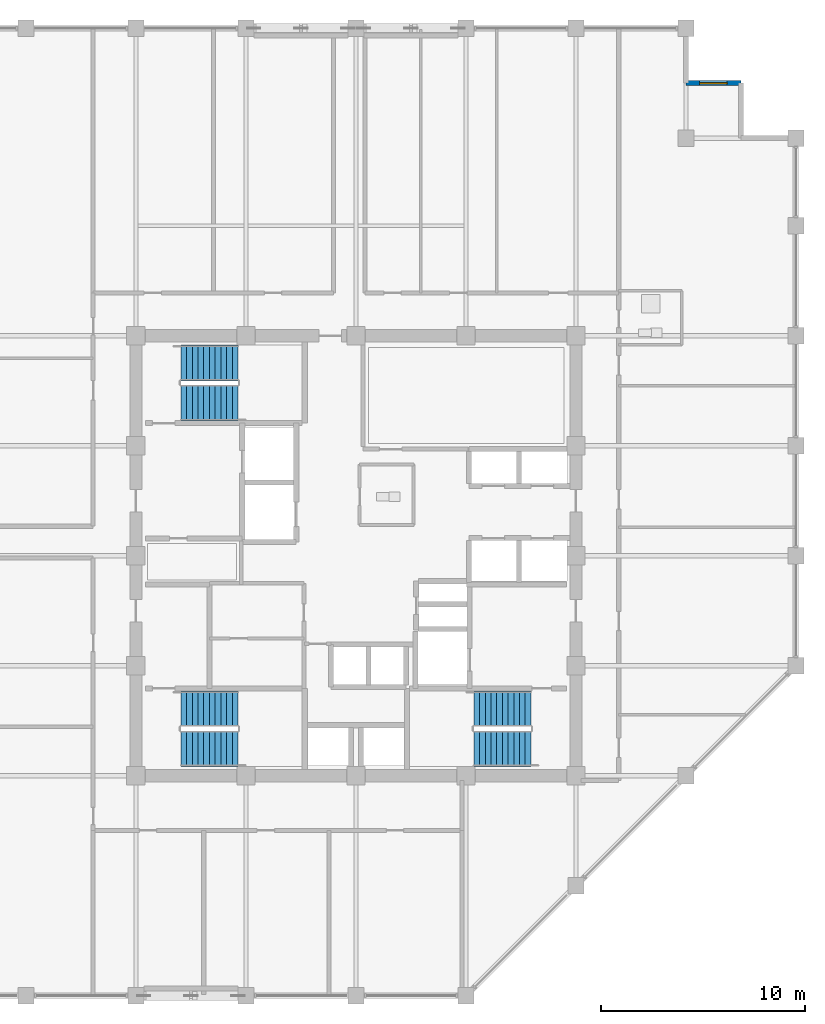
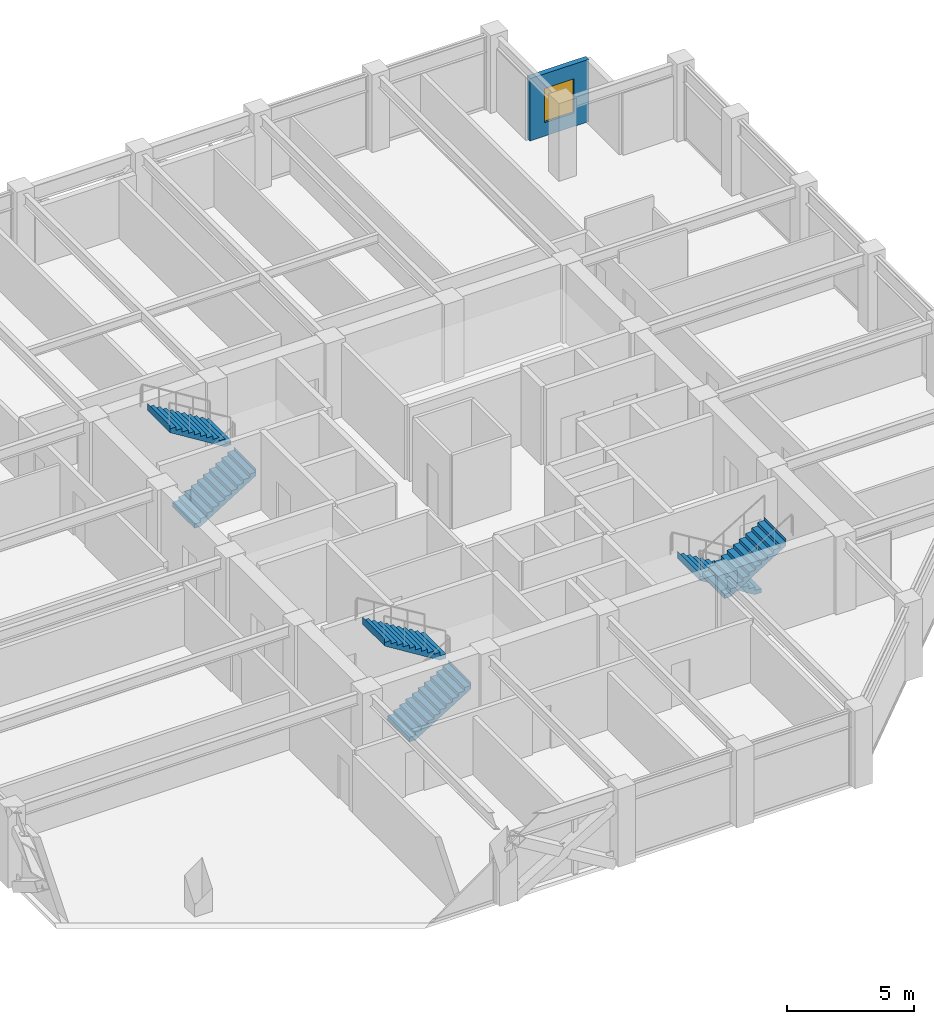
# One storey, part 30 of 32: 6 stair flights, 1 wall, 1 window, 1 opening, 3 elements without a shape of their own.
"""IFC4 building model written with IfcOpenShell, lengths in metres."""

from ifc_helpers import new_model, si_unit, direction, frame, frame_2d, origin, place, context, subcontext, project, spatial, polyline, rectangle, outline, extrude, material, layer, layer_set, type_object, element, fill, aggregate, save


model = new_model("IFC4")

# Units and contexts
model_context = context("Model", 3, precision=1e-05, world=origin(), true_north=direction((0.0, 1.0)))
body_context = subcontext(model_context, "Body", "Model", "MODEL_VIEW")
ifc_project = project(units=[si_unit("LENGTHUNIT", "METRE"), si_unit("AREAUNIT", "SQUARE_METRE"), si_unit("VOLUMEUNIT", "CUBIC_METRE"), si_unit("PLANEANGLEUNIT", "RADIAN"), si_unit("MASSUNIT", "GRAM", prefix="KILO")], contexts=[model_context])

# Site, building, storey
site_placement = place(None, origin())
site = spatial("IfcSite", under=ifc_project, at=site_placement, CompositionType="ELEMENT")
building_placement = place(site_placement, origin())
building = spatial("IfcBuilding", under=site, at=building_placement, Name="Surkhivell Harbour Commons", CompositionType="ELEMENT")
storey_placement = place(building_placement, frame((0.0, 0.0, 223.5)))
storey = spatial("IfcBuildingStorey", under=building, at=storey_placement, Name="L58", CompositionType="ELEMENT", Elevation=223.5)

# Wall, opening, window
ifc_material_1 = material(Name="Bronze-ochre cassette precast concrete C45/55", Category="concrete")
ifc_layer = layer(ifc_material_1, 0.239990234375)
ifc_layer_set = layer_set([ifc_layer], Name="Bronze-ochre cassette precast concrete C45/55")
wall_type = type_object("IfcWallType", Name="WAL-EXT-OCH240", PredefinedType="STANDARD", material=ifc_layer_set)
wall_placement = place(storey_placement, frame((18.89990234375, 23.199951171875, 0.0), z_axis=(0.0, 0.0, 1.0), x_axis=(-1.0, 0.0, 0.0)))
wall = element("IfcWall", 1, at=wall_placement, inside=storey, type_object=wall_type, Name="L58 Serrated Corner Facade Wall 05", PredefinedType="STANDARD", context=body_context, shape_type="SweptSolid", body=[
    extrude(rectangle(XDim=2.699951171875, YDim=0.239990234375, at=frame_2d((1.35009765625, 0.0))), origin(), (0.0, 0.0, 1.0), 3.006103515625),
])
opening_placement = place(wall_placement, frame((0.675048828125, 0.0, 0.64990234375)))
opening = element("IfcOpeningElement", 2, at=opening_placement, cuts=wall, Name="Opening WN-08", PredefinedType="OPENING", context=body_context, shape_type="SweptSolid", body=[
    extrude(rectangle(XDim=1.35009765625, YDim=1.64990234375, at=frame_2d((0.675048828125, 0.824951171875))), frame((0.0, 0.1298828125, 0.0), z_axis=(0.0, -1.0, 0.0), x_axis=(1.0, 0.0, 0.0)), (0.0, 0.0, 1.0), 0.260009765625),
])
ifc_material_2 = material(Name="Thermal-break aluminium frame and double low-E glazing", Category="aluminium")
window_type = type_object("IfcWindowType", Name="WIN-SER-1350x1650", PartitioningType="SINGLE_PANEL", PredefinedType="WINDOW", material=ifc_material_2)
window_placement = place(opening_placement, origin())
window = element("IfcWindow", 3, at=window_placement, inside=storey, type_object=window_type, Name="L58 Serrated Alcove Window 05", OverallHeight=1.64990234375, OverallWidth=1.35009765625, PartitioningType="SINGLE_PANEL", PredefinedType="WINDOW", context=body_context, shape_type="SweptSolid", body=[
    extrude(rectangle(XDim=1.35009765625, YDim=1.64990234375, at=frame_2d((0.675048828125, 0.824951171875))), frame((0.0, 0.030029296875, 0.0), z_axis=(0.0, -1.0, 0.0), x_axis=(1.0, 0.0, 0.0)), (0.0, 0.0, 1.0), 0.06005859375),
])
fill(opening, window)

# Stair, stair flights
ifc_material_3 = material(Name="Precast concrete C45/55", Category="concrete")
stair_type = type_object("IfcStairType", Name="STR-DL-375", PredefinedType="HALF_TURN_STAIR", material=ifc_material_3)
stair_1_placement = place(storey_placement, origin())
stair_1 = element("IfcStair", 4, at=stair_1_placement, inside=storey, type_object=stair_type, Name="L58 Core Exit Stair ST1", PredefinedType="HALF_TURN_STAIR")
stair_flight_type = type_object("IfcStairFlightType", Name="STF-DL-375", PredefinedType="STRAIGHT", material=ifc_material_3)
stair_flight_1_placement = place(storey_placement, frame((-8.590087890625, 7.514892578125, 0.0), z_axis=(0.0, 0.0, 1.0), x_axis=(1.0, 0.0, 0.0)))
stair_flight_1 = element("IfcStairFlight", 5, at=stair_flight_1_placement, type_object=stair_flight_type, Name="ST1 flight 1", NumberOfRisers=11, NumberOfTreads=10, PredefinedType="STRAIGHT", RiserHeight=0.170454545, TreadLength=0.28, context=body_context, shape_type="SweptSolid", body=[
    extrude(outline(polyline([(-0.0029296875, -0.034912109375), (-0.0029296875, 0.0), (0.0, 0.0), (0.0, 0.17041015625), (0.280029296875, 0.17041015625), (0.280029296875, 0.3408203125), (0.56005859375, 0.3408203125), (0.56005859375, 0.511474609375), (0.840087890625, 0.511474609375), (0.840087890625, 0.681884765625), (1.1201171875, 0.681884765625), (1.1201171875, 0.852294921875), (1.39990234375, 0.852294921875), (1.39990234375, 1.022705078125), (1.679931640625, 1.022705078125), (1.679931640625, 1.193115234375), (1.9599609375, 1.193115234375), (1.9599609375, 1.363525390625), (2.239990234375, 1.363525390625), (2.239990234375, 1.5341796875), (2.52001953125, 1.5341796875), (2.52001953125, 1.70458984375), (2.800048828125, 1.70458984375), (2.800048828125, 1.875), (2.802978515625, 1.875), (2.802978515625, 1.529052734375), (0.288330078125, -0.034912109375), (-0.0029296875, -0.034912109375)])), frame((0.0, 0.875, 0.0), z_axis=(0.0, -1.0, 0.0), x_axis=(1.0, 0.0, 0.0)), (0.0, 0.0, 1.0), 1.75),
])
stair_flight_2_placement = place(storey_placement, frame((-5.7900390625, 9.465087890625, 1.875), z_axis=(0.0, 0.0, 1.0), x_axis=(-1.0, 0.0, 0.0)))
stair_flight_2 = element("IfcStairFlight", 6, at=stair_flight_2_placement, type_object=stair_flight_type, Name="ST1 flight 2", NumberOfRisers=11, NumberOfTreads=10, PredefinedType="STRAIGHT", RiserHeight=0.170454545, TreadLength=0.28, context=body_context, shape_type="SweptSolid", body=[
    extrude(outline(polyline([(-0.0029296875, -0.034912109375), (-0.0029296875, 0.0), (0.0, 0.0), (0.0, 0.17041015625), (0.280029296875, 0.17041015625), (0.280029296875, 0.3408203125), (0.56005859375, 0.3408203125), (0.56005859375, 0.511474609375), (0.840087890625, 0.511474609375), (0.840087890625, 0.681884765625), (1.1201171875, 0.681884765625), (1.1201171875, 0.852294921875), (1.39990234375, 0.852294921875), (1.39990234375, 1.022705078125), (1.679931640625, 1.022705078125), (1.679931640625, 1.193115234375), (1.9599609375, 1.193115234375), (1.9599609375, 1.363525390625), (2.239990234375, 1.363525390625), (2.239990234375, 1.5341796875), (2.52001953125, 1.5341796875), (2.52001953125, 1.70458984375), (2.800048828125, 1.70458984375), (2.800048828125, 1.875), (2.802978515625, 1.875), (2.802978515625, 1.529052734375), (0.288330078125, -0.034912109375), (-0.0029296875, -0.034912109375)])), frame((0.0, 0.875, 0.0), z_axis=(0.0, -1.0, 0.0), x_axis=(1.0, 0.0, 0.0)), (0.0, 0.0, 1.0), 1.75),
])
aggregate(stair_1, [stair_flight_1, stair_flight_2])

stair_2_placement = place(storey_placement, origin())
stair_2 = element("IfcStair", 7, at=stair_2_placement, inside=storey, type_object=stair_type, Name="L58 Core Exit Stair ST2", PredefinedType="HALF_TURN_STAIR")
stair_flight_3_placement = place(storey_placement, frame((8.590087890625, -7.514892578125, 0.0), z_axis=(0.0, 0.0, 1.0), x_axis=(-1.0, 0.0, 0.0)))
stair_flight_3 = element("IfcStairFlight", 8, at=stair_flight_3_placement, type_object=stair_flight_type, Name="ST2 flight 1", NumberOfRisers=11, NumberOfTreads=10, PredefinedType="STRAIGHT", RiserHeight=0.170454545, TreadLength=0.28, context=body_context, shape_type="SweptSolid", body=[
    extrude(outline(polyline([(-0.0029296875, -0.034912109375), (-0.0029296875, 0.0), (0.0, 0.0), (0.0, 0.17041015625), (0.280029296875, 0.17041015625), (0.280029296875, 0.3408203125), (0.56005859375, 0.3408203125), (0.56005859375, 0.511474609375), (0.840087890625, 0.511474609375), (0.840087890625, 0.681884765625), (1.1201171875, 0.681884765625), (1.1201171875, 0.852294921875), (1.39990234375, 0.852294921875), (1.39990234375, 1.022705078125), (1.679931640625, 1.022705078125), (1.679931640625, 1.193115234375), (1.9599609375, 1.193115234375), (1.9599609375, 1.363525390625), (2.239990234375, 1.363525390625), (2.239990234375, 1.5341796875), (2.52001953125, 1.5341796875), (2.52001953125, 1.70458984375), (2.800048828125, 1.70458984375), (2.800048828125, 1.875), (2.802978515625, 1.875), (2.802978515625, 1.529052734375), (0.288330078125, -0.034912109375), (-0.0029296875, -0.034912109375)])), frame((0.0, 0.875, 0.0), z_axis=(0.0, -1.0, 0.0), x_axis=(1.0, 0.0, 0.0)), (0.0, 0.0, 1.0), 1.75),
])
stair_flight_4_placement = place(storey_placement, frame((5.7900390625, -9.465087890625, 1.875), z_axis=(0.0, 0.0, 1.0), x_axis=(1.0, 0.0, 0.0)))
stair_flight_4 = element("IfcStairFlight", 9, at=stair_flight_4_placement, type_object=stair_flight_type, Name="ST2 flight 2", NumberOfRisers=11, NumberOfTreads=10, PredefinedType="STRAIGHT", RiserHeight=0.170454545, TreadLength=0.28, context=body_context, shape_type="SweptSolid", body=[
    extrude(outline(polyline([(-0.0029296875, -0.034912109375), (-0.0029296875, 0.0), (0.0, 0.0), (0.0, 0.17041015625), (0.280029296875, 0.17041015625), (0.280029296875, 0.3408203125), (0.56005859375, 0.3408203125), (0.56005859375, 0.511474609375), (0.840087890625, 0.511474609375), (0.840087890625, 0.681884765625), (1.1201171875, 0.681884765625), (1.1201171875, 0.852294921875), (1.39990234375, 0.852294921875), (1.39990234375, 1.022705078125), (1.679931640625, 1.022705078125), (1.679931640625, 1.193115234375), (1.9599609375, 1.193115234375), (1.9599609375, 1.363525390625), (2.239990234375, 1.363525390625), (2.239990234375, 1.5341796875), (2.52001953125, 1.5341796875), (2.52001953125, 1.70458984375), (2.800048828125, 1.70458984375), (2.800048828125, 1.875), (2.802978515625, 1.875), (2.802978515625, 1.529052734375), (0.288330078125, -0.034912109375), (-0.0029296875, -0.034912109375)])), frame((0.0, 0.875, 0.0), z_axis=(0.0, -1.0, 0.0), x_axis=(1.0, 0.0, 0.0)), (0.0, 0.0, 1.0), 1.75),
])
aggregate(stair_2, [stair_flight_3, stair_flight_4])

stair_3_placement = place(storey_placement, origin())
stair_3 = element("IfcStair", 10, at=stair_3_placement, inside=storey, type_object=stair_type, Name="L58 Core Exit Stair ST3", PredefinedType="HALF_TURN_STAIR")
stair_flight_5_placement = place(storey_placement, frame((-8.590087890625, -9.465087890625, 0.0), z_axis=(0.0, 0.0, 1.0), x_axis=(1.0, 0.0, 0.0)))
stair_flight_5 = element("IfcStairFlight", 11, at=stair_flight_5_placement, type_object=stair_flight_type, Name="ST3 flight 1", NumberOfRisers=11, NumberOfTreads=10, PredefinedType="STRAIGHT", RiserHeight=0.170454545, TreadLength=0.28, context=body_context, shape_type="SweptSolid", body=[
    extrude(outline(polyline([(-0.0029296875, -0.034912109375), (-0.0029296875, 0.0), (0.0, 0.0), (0.0, 0.17041015625), (0.280029296875, 0.17041015625), (0.280029296875, 0.3408203125), (0.56005859375, 0.3408203125), (0.56005859375, 0.511474609375), (0.840087890625, 0.511474609375), (0.840087890625, 0.681884765625), (1.1201171875, 0.681884765625), (1.1201171875, 0.852294921875), (1.39990234375, 0.852294921875), (1.39990234375, 1.022705078125), (1.679931640625, 1.022705078125), (1.679931640625, 1.193115234375), (1.9599609375, 1.193115234375), (1.9599609375, 1.363525390625), (2.239990234375, 1.363525390625), (2.239990234375, 1.5341796875), (2.52001953125, 1.5341796875), (2.52001953125, 1.70458984375), (2.800048828125, 1.70458984375), (2.800048828125, 1.875), (2.802978515625, 1.875), (2.802978515625, 1.529052734375), (0.288330078125, -0.034912109375), (-0.0029296875, -0.034912109375)])), frame((0.0, 0.875, 0.0), z_axis=(0.0, -1.0, 0.0), x_axis=(1.0, 0.0, 0.0)), (0.0, 0.0, 1.0), 1.75),
])
stair_flight_6_placement = place(storey_placement, frame((-5.7900390625, -7.514892578125, 1.875), z_axis=(0.0, 0.0, 1.0), x_axis=(-1.0, 0.0, 0.0)))
stair_flight_6 = element("IfcStairFlight", 12, at=stair_flight_6_placement, type_object=stair_flight_type, Name="ST3 flight 2", NumberOfRisers=11, NumberOfTreads=10, PredefinedType="STRAIGHT", RiserHeight=0.170454545, TreadLength=0.28, context=body_context, shape_type="SweptSolid", body=[
    extrude(outline(polyline([(-0.0029296875, -0.034912109375), (-0.0029296875, 0.0), (0.0, 0.0), (0.0, 0.17041015625), (0.280029296875, 0.17041015625), (0.280029296875, 0.3408203125), (0.56005859375, 0.3408203125), (0.56005859375, 0.511474609375), (0.840087890625, 0.511474609375), (0.840087890625, 0.681884765625), (1.1201171875, 0.681884765625), (1.1201171875, 0.852294921875), (1.39990234375, 0.852294921875), (1.39990234375, 1.022705078125), (1.679931640625, 1.022705078125), (1.679931640625, 1.193115234375), (1.9599609375, 1.193115234375), (1.9599609375, 1.363525390625), (2.239990234375, 1.363525390625), (2.239990234375, 1.5341796875), (2.52001953125, 1.5341796875), (2.52001953125, 1.70458984375), (2.800048828125, 1.70458984375), (2.800048828125, 1.875), (2.802978515625, 1.875), (2.802978515625, 1.529052734375), (0.288330078125, -0.034912109375), (-0.0029296875, -0.034912109375)])), frame((0.0, 0.875, 0.0), z_axis=(0.0, -1.0, 0.0), x_axis=(1.0, 0.0, 0.0)), (0.0, 0.0, 1.0), 1.75),
])
aggregate(stair_3, [stair_flight_5, stair_flight_6])

save(model, "model.ifc")
